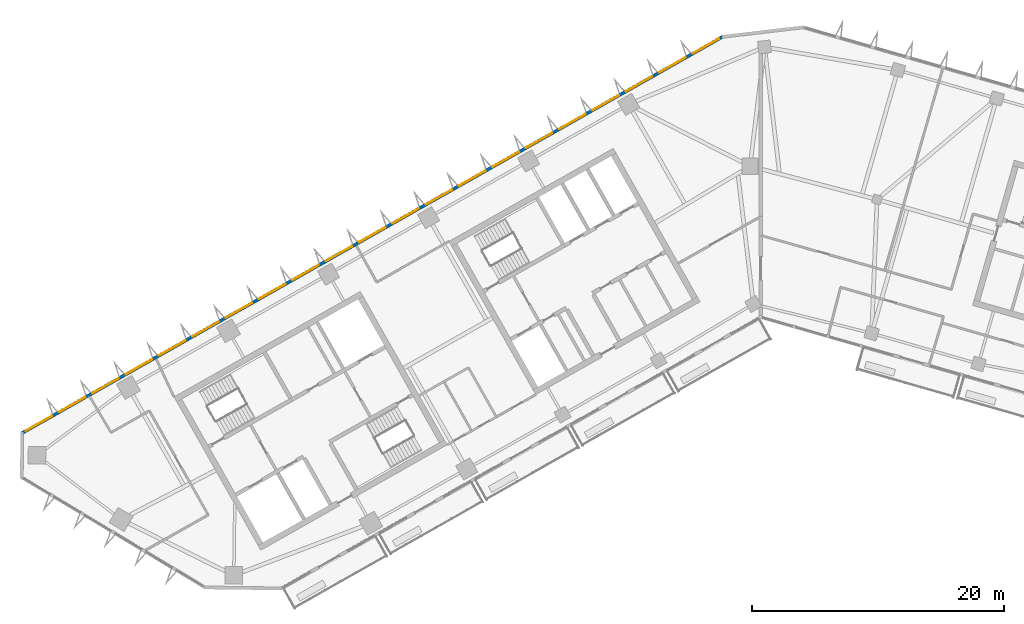
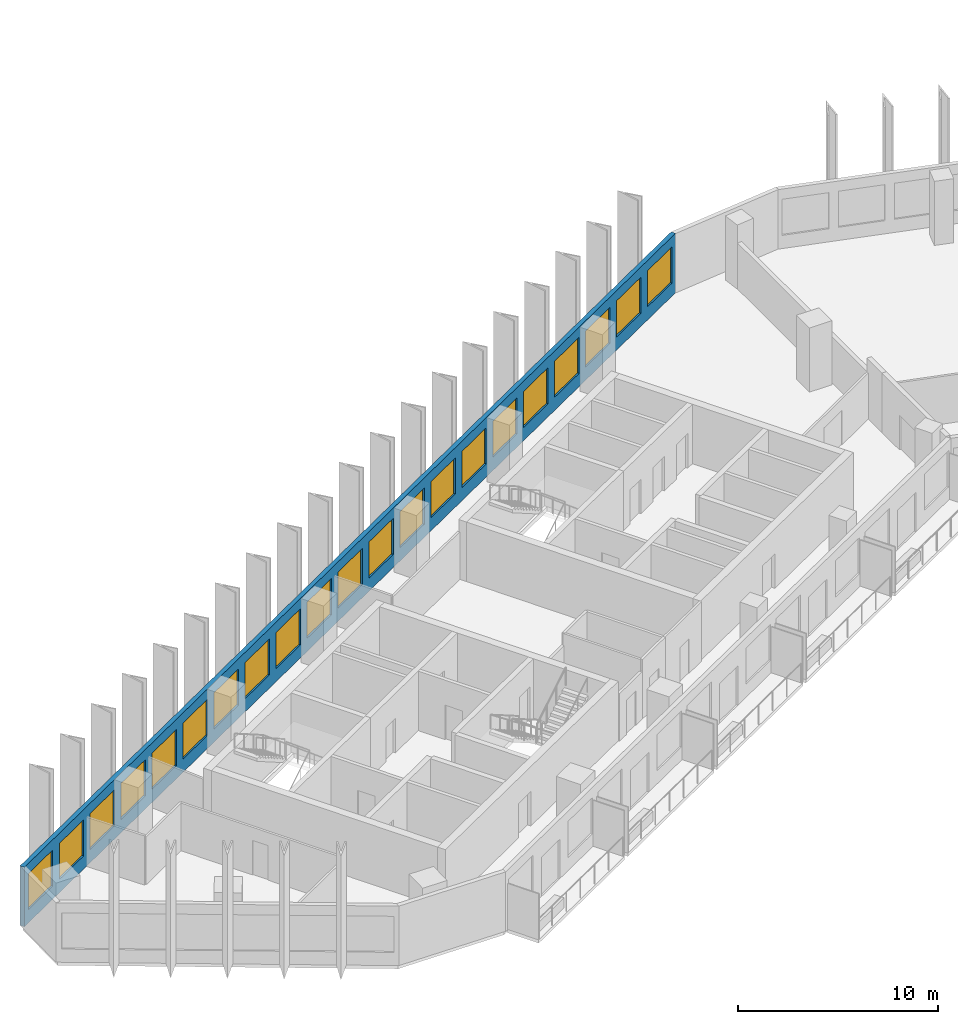
# One storey, part 4 of 12: 21 windows, 1 wall, 21 openings.
"""IFC4 building model written with IfcOpenShell, lengths in metres."""

from ifc_helpers import new_model, si_unit, direction, frame, frame_2d, origin, place, context, subcontext, project, spatial, rectangle, extrude, material, layer, layer_set, type_object, element, fill, save


model = new_model("IFC4")

# Units and contexts
model_context = context("Model", 3, precision=1e-05, world=origin(), true_north=direction((0.0, 1.0)))
body_context = subcontext(model_context, "Body", "Model", "MODEL_VIEW")
ifc_project = project(units=[si_unit("LENGTHUNIT", "METRE"), si_unit("AREAUNIT", "SQUARE_METRE"), si_unit("VOLUMEUNIT", "CUBIC_METRE"), si_unit("PLANEANGLEUNIT", "RADIAN"), si_unit("MASSUNIT", "GRAM", prefix="KILO")], contexts=[model_context])

# Site, building, storey
site_placement = place(None, origin())
site = spatial("IfcSite", under=ifc_project, at=site_placement, CompositionType="ELEMENT")
building_placement = place(site_placement, origin())
building = spatial("IfcBuilding", under=site, at=building_placement, Name="Binnacle Exchange Tower", CompositionType="ELEMENT")
storey_placement = place(building_placement, frame((0.0, 0.0, 246.5)))
storey = spatial("IfcBuildingStorey", under=building, at=storey_placement, Name="L54", CompositionType="ELEMENT", Elevation=246.5)

# Wall, openings, windows
ifc_material_1 = material(Name="Bronze aluminium cladding", Category="aluminium")
ifc_layer = layer(ifc_material_1, 0.25)
ifc_layer_set = layer_set([ifc_layer], Name="External wall - window wall 250")
wall_type = type_object("IfcWallType", Name="External wall - window wall 250", PredefinedType="STANDARD", material=ifc_layer_set)
wall_placement = place(storey_placement, frame((-58.732177734375, 38.770751953125, 0.0), z_axis=(0.0, 0.0, 1.0), x_axis=(0.870354824205, 0.492425100887, 0.0)))
wall = element("IfcWall", 1, at=wall_placement, inside=storey, type_object=wall_type, Name="External wall EW-G08 L54", PredefinedType="STANDARD", context=body_context, shape_type="SweptSolid", body=[
    extrude(rectangle(XDim=64.005859375, YDim=0.25, at=frame_2d((32.0029296875, 0.0))), origin(), (0.0, 0.0, 1.0), 3.6201171875),
])
opening_1_placement = place(wall_placement, frame((61.25927734375, 0.0, 0.800048828125)))
opening_1 = element("IfcOpeningElement", 2, at=opening_1_placement, cuts=wall, Name="Opening WR1", PredefinedType="OPENING", context=body_context, shape_type="SweptSolid", body=[
    extrude(rectangle(XDim=2.39990234375, YDim=2.199951171875, at=frame_2d((1.199951171875, 1.10009765625))), frame((0.0, 0.135009765625, 0.0), z_axis=(0.0, -1.0, 0.0), x_axis=(1.0, 0.0, 0.0)), (0.0, 0.0, 1.0), 0.27001953125),
])
opening_2_placement = place(wall_placement, frame((58.2158203125, 0.0, 0.800048828125)))
opening_2 = element("IfcOpeningElement", 3, at=opening_2_placement, cuts=wall, Name="Opening WR1", PredefinedType="OPENING", context=body_context, shape_type="SweptSolid", body=[
    extrude(rectangle(XDim=2.39990234375, YDim=2.199951171875, at=frame_2d((1.199951171875, 1.10009765625))), frame((0.0, 0.135009765625, 0.0), z_axis=(0.0, -1.0, 0.0), x_axis=(1.0, 0.0, 0.0)), (0.0, 0.0, 1.0), 0.27001953125),
])
opening_3_placement = place(wall_placement, frame((55.172607421875, 0.0, 0.800048828125)))
opening_3 = element("IfcOpeningElement", 4, at=opening_3_placement, cuts=wall, Name="Opening WR1", PredefinedType="OPENING", context=body_context, shape_type="SweptSolid", body=[
    extrude(rectangle(XDim=2.39990234375, YDim=2.199951171875, at=frame_2d((1.199951171875, 1.10009765625))), frame((0.0, 0.135009765625, 0.0), z_axis=(0.0, -1.0, 0.0), x_axis=(1.0, 0.0, 0.0)), (0.0, 0.0, 1.0), 0.27001953125),
])
opening_4_placement = place(wall_placement, frame((52.12939453125, 0.0, 0.800048828125)))
opening_4 = element("IfcOpeningElement", 5, at=opening_4_placement, cuts=wall, Name="Opening WR1", PredefinedType="OPENING", context=body_context, shape_type="SweptSolid", body=[
    extrude(rectangle(XDim=2.39990234375, YDim=2.199951171875, at=frame_2d((1.199951171875, 1.10009765625))), frame((0.0, 0.135009765625, 0.0), z_axis=(0.0, -1.0, 0.0), x_axis=(1.0, 0.0, 0.0)), (0.0, 0.0, 1.0), 0.27001953125),
])
opening_5_placement = place(wall_placement, frame((49.0859375, 0.0, 0.800048828125)))
opening_5 = element("IfcOpeningElement", 6, at=opening_5_placement, cuts=wall, Name="Opening WR1", PredefinedType="OPENING", context=body_context, shape_type="SweptSolid", body=[
    extrude(rectangle(XDim=2.39990234375, YDim=2.199951171875, at=frame_2d((1.199951171875, 1.10009765625))), frame((0.0, 0.135009765625, 0.0), z_axis=(0.0, -1.0, 0.0), x_axis=(1.0, 0.0, 0.0)), (0.0, 0.0, 1.0), 0.27001953125),
])
opening_6_placement = place(wall_placement, frame((46.042724609375, 0.0, 0.800048828125)))
opening_6 = element("IfcOpeningElement", 7, at=opening_6_placement, cuts=wall, Name="Opening WR1", PredefinedType="OPENING", context=body_context, shape_type="SweptSolid", body=[
    extrude(rectangle(XDim=2.39990234375, YDim=2.199951171875, at=frame_2d((1.199951171875, 1.10009765625))), frame((0.0, 0.135009765625, 0.0), z_axis=(0.0, -1.0, 0.0), x_axis=(1.0, 0.0, 0.0)), (0.0, 0.0, 1.0), 0.27001953125),
])
opening_7_placement = place(wall_placement, frame((42.99951171875, 0.0, 0.800048828125)))
opening_7 = element("IfcOpeningElement", 8, at=opening_7_placement, cuts=wall, Name="Opening WR1", PredefinedType="OPENING", context=body_context, shape_type="SweptSolid", body=[
    extrude(rectangle(XDim=2.39990234375, YDim=2.199951171875, at=frame_2d((1.199951171875, 1.10009765625))), frame((0.0, 0.135009765625, 0.0), z_axis=(0.0, -1.0, 0.0), x_axis=(1.0, 0.0, 0.0)), (0.0, 0.0, 1.0), 0.27001953125),
])
opening_8_placement = place(wall_placement, frame((39.956298828125, 0.0, 0.800048828125)))
opening_8 = element("IfcOpeningElement", 9, at=opening_8_placement, cuts=wall, Name="Opening WR1", PredefinedType="OPENING", context=body_context, shape_type="SweptSolid", body=[
    extrude(rectangle(XDim=2.39990234375, YDim=2.199951171875, at=frame_2d((1.199951171875, 1.10009765625))), frame((0.0, 0.135009765625, 0.0), z_axis=(0.0, -1.0, 0.0), x_axis=(1.0, 0.0, 0.0)), (0.0, 0.0, 1.0), 0.27001953125),
])
opening_9_placement = place(wall_placement, frame((36.912841796875, 0.0, 0.800048828125)))
opening_9 = element("IfcOpeningElement", 10, at=opening_9_placement, cuts=wall, Name="Opening WR1", PredefinedType="OPENING", context=body_context, shape_type="SweptSolid", body=[
    extrude(rectangle(XDim=2.39990234375, YDim=2.199951171875, at=frame_2d((1.199951171875, 1.10009765625))), frame((0.0, 0.135009765625, 0.0), z_axis=(0.0, -1.0, 0.0), x_axis=(1.0, 0.0, 0.0)), (0.0, 0.0, 1.0), 0.27001953125),
])
opening_10_placement = place(wall_placement, frame((33.86962890625, 0.0, 0.800048828125)))
opening_10 = element("IfcOpeningElement", 11, at=opening_10_placement, cuts=wall, Name="Opening WR1", PredefinedType="OPENING", context=body_context, shape_type="SweptSolid", body=[
    extrude(rectangle(XDim=2.39990234375, YDim=2.199951171875, at=frame_2d((1.199951171875, 1.10009765625))), frame((0.0, 0.135009765625, 0.0), z_axis=(0.0, -1.0, 0.0), x_axis=(1.0, 0.0, 0.0)), (0.0, 0.0, 1.0), 0.27001953125),
])
opening_11_placement = place(wall_placement, frame((30.826416015625, 0.0, 0.800048828125)))
opening_11 = element("IfcOpeningElement", 12, at=opening_11_placement, cuts=wall, Name="Opening WR1", PredefinedType="OPENING", context=body_context, shape_type="SweptSolid", body=[
    extrude(rectangle(XDim=2.39990234375, YDim=2.199951171875, at=frame_2d((1.199951171875, 1.10009765625))), frame((0.0, 0.135009765625, 0.0), z_axis=(0.0, -1.0, 0.0), x_axis=(1.0, 0.0, 0.0)), (0.0, 0.0, 1.0), 0.27001953125),
])
opening_12_placement = place(wall_placement, frame((27.782958984375, 0.0, 0.800048828125)))
opening_12 = element("IfcOpeningElement", 13, at=opening_12_placement, cuts=wall, Name="Opening WR1", PredefinedType="OPENING", context=body_context, shape_type="SweptSolid", body=[
    extrude(rectangle(XDim=2.39990234375, YDim=2.199951171875, at=frame_2d((1.199951171875, 1.10009765625))), frame((0.0, 0.135009765625, 0.0), z_axis=(0.0, -1.0, 0.0), x_axis=(1.0, 0.0, 0.0)), (0.0, 0.0, 1.0), 0.27001953125),
])
opening_13_placement = place(wall_placement, frame((24.73974609375, 0.0, 0.800048828125)))
opening_13 = element("IfcOpeningElement", 14, at=opening_13_placement, cuts=wall, Name="Opening WR1", PredefinedType="OPENING", context=body_context, shape_type="SweptSolid", body=[
    extrude(rectangle(XDim=2.39990234375, YDim=2.199951171875, at=frame_2d((1.199951171875, 1.10009765625))), frame((0.0, 0.135009765625, 0.0), z_axis=(0.0, -1.0, 0.0), x_axis=(1.0, 0.0, 0.0)), (0.0, 0.0, 1.0), 0.27001953125),
])
opening_14_placement = place(wall_placement, frame((21.6962890625, 0.0, 0.800048828125)))
opening_14 = element("IfcOpeningElement", 15, at=opening_14_placement, cuts=wall, Name="Opening WR1", PredefinedType="OPENING", context=body_context, shape_type="SweptSolid", body=[
    extrude(rectangle(XDim=2.39990234375, YDim=2.199951171875, at=frame_2d((1.199951171875, 1.10009765625))), frame((0.0, 0.135009765625, 0.0), z_axis=(0.0, -1.0, 0.0), x_axis=(1.0, 0.0, 0.0)), (0.0, 0.0, 1.0), 0.27001953125),
])
opening_15_placement = place(wall_placement, frame((18.6533203125, 0.0, 0.800048828125)))
opening_15 = element("IfcOpeningElement", 16, at=opening_15_placement, cuts=wall, Name="Opening WR1", PredefinedType="OPENING", context=body_context, shape_type="SweptSolid", body=[
    extrude(rectangle(XDim=2.39990234375, YDim=2.199951171875, at=frame_2d((1.199951171875, 1.10009765625))), frame((0.0, 0.135009765625, 0.0), z_axis=(0.0, -1.0, 0.0), x_axis=(1.0, 0.0, 0.0)), (0.0, 0.0, 1.0), 0.27001953125),
])
opening_16_placement = place(wall_placement, frame((15.60986328125, 0.0, 0.800048828125)))
opening_16 = element("IfcOpeningElement", 17, at=opening_16_placement, cuts=wall, Name="Opening WR1", PredefinedType="OPENING", context=body_context, shape_type="SweptSolid", body=[
    extrude(rectangle(XDim=2.39990234375, YDim=2.199951171875, at=frame_2d((1.199951171875, 1.10009765625))), frame((0.0, 0.135009765625, 0.0), z_axis=(0.0, -1.0, 0.0), x_axis=(1.0, 0.0, 0.0)), (0.0, 0.0, 1.0), 0.27001953125),
])
opening_17_placement = place(wall_placement, frame((12.566650390625, 0.0, 0.800048828125)))
opening_17 = element("IfcOpeningElement", 18, at=opening_17_placement, cuts=wall, Name="Opening WR1", PredefinedType="OPENING", context=body_context, shape_type="SweptSolid", body=[
    extrude(rectangle(XDim=2.39990234375, YDim=2.199951171875, at=frame_2d((1.199951171875, 1.10009765625))), frame((0.0, 0.135009765625, 0.0), z_axis=(0.0, -1.0, 0.0), x_axis=(1.0, 0.0, 0.0)), (0.0, 0.0, 1.0), 0.27001953125),
])
opening_18_placement = place(wall_placement, frame((9.523193359375, 0.0, 0.800048828125)))
opening_18 = element("IfcOpeningElement", 19, at=opening_18_placement, cuts=wall, Name="Opening WR1", PredefinedType="OPENING", context=body_context, shape_type="SweptSolid", body=[
    extrude(rectangle(XDim=2.39990234375, YDim=2.199951171875, at=frame_2d((1.199951171875, 1.10009765625))), frame((0.0, 0.135009765625, 0.0), z_axis=(0.0, -1.0, 0.0), x_axis=(1.0, 0.0, 0.0)), (0.0, 0.0, 1.0), 0.27001953125),
])
opening_19_placement = place(wall_placement, frame((6.47998046875, 0.0, 0.800048828125)))
opening_19 = element("IfcOpeningElement", 20, at=opening_19_placement, cuts=wall, Name="Opening WR1", PredefinedType="OPENING", context=body_context, shape_type="SweptSolid", body=[
    extrude(rectangle(XDim=2.39990234375, YDim=2.199951171875, at=frame_2d((1.199951171875, 1.10009765625))), frame((0.0, 0.135009765625, 0.0), z_axis=(0.0, -1.0, 0.0), x_axis=(1.0, 0.0, 0.0)), (0.0, 0.0, 1.0), 0.27001953125),
])
opening_20_placement = place(wall_placement, frame((3.436767578125, 0.0, 0.800048828125)))
opening_20 = element("IfcOpeningElement", 21, at=opening_20_placement, cuts=wall, Name="Opening WR1", PredefinedType="OPENING", context=body_context, shape_type="SweptSolid", body=[
    extrude(rectangle(XDim=2.39990234375, YDim=2.199951171875, at=frame_2d((1.199951171875, 1.10009765625))), frame((0.0, 0.135009765625, 0.0), z_axis=(0.0, -1.0, 0.0), x_axis=(1.0, 0.0, 0.0)), (0.0, 0.0, 1.0), 0.27001953125),
])
opening_21_placement = place(wall_placement, frame((0.393310546875, 0.0, 0.800048828125)))
opening_21 = element("IfcOpeningElement", 22, at=opening_21_placement, cuts=wall, Name="Opening WR1", PredefinedType="OPENING", context=body_context, shape_type="SweptSolid", body=[
    extrude(rectangle(XDim=2.39990234375, YDim=2.199951171875, at=frame_2d((1.199951171875, 1.10009765625))), frame((0.0, 0.135009765625, 0.0), z_axis=(0.0, -1.0, 0.0), x_axis=(1.0, 0.0, 0.0)), (0.0, 0.0, 1.0), 0.27001953125),
])
ifc_material_2 = material(Name="Bronze anodised aluminium frame", Category="aluminium")
window_type = type_object("IfcWindowType", Name="WR1 WINDOW 2400x2200", PartitioningType="SINGLE_PANEL", PredefinedType="WINDOW", material=ifc_material_2)
window_1_placement = place(opening_1_placement, origin())
window_1 = element("IfcWindow", 23, at=window_1_placement, inside=storey, type_object=window_type, Name="Window WR1 L54", OverallHeight=2.199951171875, OverallWidth=2.39990234375, PartitioningType="SINGLE_PANEL", PredefinedType="WINDOW", context=body_context, shape_type="SweptSolid", body=[
    extrude(rectangle(XDim=2.39990234375, YDim=2.199951171875, at=frame_2d((1.199951171875, 1.10009765625))), frame((0.0, 0.030029296875, 0.0), z_axis=(0.0, -1.0, 0.0), x_axis=(1.0, 0.0, 0.0)), (0.0, 0.0, 1.0), 0.06005859375),
])
fill(opening_1, window_1)
window_2_placement = place(opening_2_placement, origin())
window_2 = element("IfcWindow", 24, at=window_2_placement, inside=storey, type_object=window_type, Name="Window WR1 L54", OverallHeight=2.199951171875, OverallWidth=2.39990234375, PartitioningType="SINGLE_PANEL", PredefinedType="WINDOW", context=body_context, shape_type="SweptSolid", body=[
    extrude(rectangle(XDim=2.39990234375, YDim=2.199951171875, at=frame_2d((1.199951171875, 1.10009765625))), frame((0.0, 0.030029296875, 0.0), z_axis=(0.0, -1.0, 0.0), x_axis=(1.0, 0.0, 0.0)), (0.0, 0.0, 1.0), 0.06005859375),
])
fill(opening_2, window_2)
window_3_placement = place(opening_3_placement, origin())
window_3 = element("IfcWindow", 25, at=window_3_placement, inside=storey, type_object=window_type, Name="Window WR1 L54", OverallHeight=2.199951171875, OverallWidth=2.39990234375, PartitioningType="SINGLE_PANEL", PredefinedType="WINDOW", context=body_context, shape_type="SweptSolid", body=[
    extrude(rectangle(XDim=2.39990234375, YDim=2.199951171875, at=frame_2d((1.199951171875, 1.10009765625))), frame((0.0, 0.030029296875, 0.0), z_axis=(0.0, -1.0, 0.0), x_axis=(1.0, 0.0, 0.0)), (0.0, 0.0, 1.0), 0.06005859375),
])
fill(opening_3, window_3)
window_4_placement = place(opening_4_placement, origin())
window_4 = element("IfcWindow", 26, at=window_4_placement, inside=storey, type_object=window_type, Name="Window WR1 L54", OverallHeight=2.199951171875, OverallWidth=2.39990234375, PartitioningType="SINGLE_PANEL", PredefinedType="WINDOW", context=body_context, shape_type="SweptSolid", body=[
    extrude(rectangle(XDim=2.39990234375, YDim=2.199951171875, at=frame_2d((1.199951171875, 1.10009765625))), frame((0.0, 0.030029296875, 0.0), z_axis=(0.0, -1.0, 0.0), x_axis=(1.0, 0.0, 0.0)), (0.0, 0.0, 1.0), 0.06005859375),
])
fill(opening_4, window_4)
window_5_placement = place(opening_5_placement, origin())
window_5 = element("IfcWindow", 27, at=window_5_placement, inside=storey, type_object=window_type, Name="Window WR1 L54", OverallHeight=2.199951171875, OverallWidth=2.39990234375, PartitioningType="SINGLE_PANEL", PredefinedType="WINDOW", context=body_context, shape_type="SweptSolid", body=[
    extrude(rectangle(XDim=2.39990234375, YDim=2.199951171875, at=frame_2d((1.199951171875, 1.10009765625))), frame((0.0, 0.030029296875, 0.0), z_axis=(0.0, -1.0, 0.0), x_axis=(1.0, 0.0, 0.0)), (0.0, 0.0, 1.0), 0.06005859375),
])
fill(opening_5, window_5)
window_6_placement = place(opening_6_placement, origin())
window_6 = element("IfcWindow", 28, at=window_6_placement, inside=storey, type_object=window_type, Name="Window WR1 L54", OverallHeight=2.199951171875, OverallWidth=2.39990234375, PartitioningType="SINGLE_PANEL", PredefinedType="WINDOW", context=body_context, shape_type="SweptSolid", body=[
    extrude(rectangle(XDim=2.39990234375, YDim=2.199951171875, at=frame_2d((1.199951171875, 1.10009765625))), frame((0.0, 0.030029296875, 0.0), z_axis=(0.0, -1.0, 0.0), x_axis=(1.0, 0.0, 0.0)), (0.0, 0.0, 1.0), 0.06005859375),
])
fill(opening_6, window_6)
window_7_placement = place(opening_7_placement, origin())
window_7 = element("IfcWindow", 29, at=window_7_placement, inside=storey, type_object=window_type, Name="Window WR1 L54", OverallHeight=2.199951171875, OverallWidth=2.39990234375, PartitioningType="SINGLE_PANEL", PredefinedType="WINDOW", context=body_context, shape_type="SweptSolid", body=[
    extrude(rectangle(XDim=2.39990234375, YDim=2.199951171875, at=frame_2d((1.199951171875, 1.10009765625))), frame((0.0, 0.030029296875, 0.0), z_axis=(0.0, -1.0, 0.0), x_axis=(1.0, 0.0, 0.0)), (0.0, 0.0, 1.0), 0.06005859375),
])
fill(opening_7, window_7)
window_8_placement = place(opening_8_placement, origin())
window_8 = element("IfcWindow", 30, at=window_8_placement, inside=storey, type_object=window_type, Name="Window WR1 L54", OverallHeight=2.199951171875, OverallWidth=2.39990234375, PartitioningType="SINGLE_PANEL", PredefinedType="WINDOW", context=body_context, shape_type="SweptSolid", body=[
    extrude(rectangle(XDim=2.39990234375, YDim=2.199951171875, at=frame_2d((1.199951171875, 1.10009765625))), frame((0.0, 0.030029296875, 0.0), z_axis=(0.0, -1.0, 0.0), x_axis=(1.0, 0.0, 0.0)), (0.0, 0.0, 1.0), 0.06005859375),
])
fill(opening_8, window_8)
window_9_placement = place(opening_9_placement, origin())
window_9 = element("IfcWindow", 31, at=window_9_placement, inside=storey, type_object=window_type, Name="Window WR1 L54", OverallHeight=2.199951171875, OverallWidth=2.39990234375, PartitioningType="SINGLE_PANEL", PredefinedType="WINDOW", context=body_context, shape_type="SweptSolid", body=[
    extrude(rectangle(XDim=2.39990234375, YDim=2.199951171875, at=frame_2d((1.199951171875, 1.10009765625))), frame((0.0, 0.030029296875, 0.0), z_axis=(0.0, -1.0, 0.0), x_axis=(1.0, 0.0, 0.0)), (0.0, 0.0, 1.0), 0.06005859375),
])
fill(opening_9, window_9)
window_10_placement = place(opening_10_placement, origin())
window_10 = element("IfcWindow", 32, at=window_10_placement, inside=storey, type_object=window_type, Name="Window WR1 L54", OverallHeight=2.199951171875, OverallWidth=2.39990234375, PartitioningType="SINGLE_PANEL", PredefinedType="WINDOW", context=body_context, shape_type="SweptSolid", body=[
    extrude(rectangle(XDim=2.39990234375, YDim=2.199951171875, at=frame_2d((1.199951171875, 1.10009765625))), frame((0.0, 0.030029296875, 0.0), z_axis=(0.0, -1.0, 0.0), x_axis=(1.0, 0.0, 0.0)), (0.0, 0.0, 1.0), 0.06005859375),
])
fill(opening_10, window_10)
window_11_placement = place(opening_11_placement, origin())
window_11 = element("IfcWindow", 33, at=window_11_placement, inside=storey, type_object=window_type, Name="Window WR1 L54", OverallHeight=2.199951171875, OverallWidth=2.39990234375, PartitioningType="SINGLE_PANEL", PredefinedType="WINDOW", context=body_context, shape_type="SweptSolid", body=[
    extrude(rectangle(XDim=2.39990234375, YDim=2.199951171875, at=frame_2d((1.199951171875, 1.10009765625))), frame((0.0, 0.030029296875, 0.0), z_axis=(0.0, -1.0, 0.0), x_axis=(1.0, 0.0, 0.0)), (0.0, 0.0, 1.0), 0.06005859375),
])
fill(opening_11, window_11)
window_12_placement = place(opening_12_placement, origin())
window_12 = element("IfcWindow", 34, at=window_12_placement, inside=storey, type_object=window_type, Name="Window WR1 L54", OverallHeight=2.199951171875, OverallWidth=2.39990234375, PartitioningType="SINGLE_PANEL", PredefinedType="WINDOW", context=body_context, shape_type="SweptSolid", body=[
    extrude(rectangle(XDim=2.39990234375, YDim=2.199951171875, at=frame_2d((1.199951171875, 1.10009765625))), frame((0.0, 0.030029296875, 0.0), z_axis=(0.0, -1.0, 0.0), x_axis=(1.0, 0.0, 0.0)), (0.0, 0.0, 1.0), 0.06005859375),
])
fill(opening_12, window_12)
window_13_placement = place(opening_13_placement, origin())
window_13 = element("IfcWindow", 35, at=window_13_placement, inside=storey, type_object=window_type, Name="Window WR1 L54", OverallHeight=2.199951171875, OverallWidth=2.39990234375, PartitioningType="SINGLE_PANEL", PredefinedType="WINDOW", context=body_context, shape_type="SweptSolid", body=[
    extrude(rectangle(XDim=2.39990234375, YDim=2.199951171875, at=frame_2d((1.199951171875, 1.10009765625))), frame((0.0, 0.030029296875, 0.0), z_axis=(0.0, -1.0, 0.0), x_axis=(1.0, 0.0, 0.0)), (0.0, 0.0, 1.0), 0.06005859375),
])
fill(opening_13, window_13)
window_14_placement = place(opening_14_placement, origin())
window_14 = element("IfcWindow", 36, at=window_14_placement, inside=storey, type_object=window_type, Name="Window WR1 L54", OverallHeight=2.199951171875, OverallWidth=2.39990234375, PartitioningType="SINGLE_PANEL", PredefinedType="WINDOW", context=body_context, shape_type="SweptSolid", body=[
    extrude(rectangle(XDim=2.39990234375, YDim=2.199951171875, at=frame_2d((1.199951171875, 1.10009765625))), frame((0.0, 0.030029296875, 0.0), z_axis=(0.0, -1.0, 0.0), x_axis=(1.0, 0.0, 0.0)), (0.0, 0.0, 1.0), 0.06005859375),
])
fill(opening_14, window_14)
window_15_placement = place(opening_15_placement, origin())
window_15 = element("IfcWindow", 37, at=window_15_placement, inside=storey, type_object=window_type, Name="Window WR1 L54", OverallHeight=2.199951171875, OverallWidth=2.39990234375, PartitioningType="SINGLE_PANEL", PredefinedType="WINDOW", context=body_context, shape_type="SweptSolid", body=[
    extrude(rectangle(XDim=2.39990234375, YDim=2.199951171875, at=frame_2d((1.199951171875, 1.10009765625))), frame((0.0, 0.030029296875, 0.0), z_axis=(0.0, -1.0, 0.0), x_axis=(1.0, 0.0, 0.0)), (0.0, 0.0, 1.0), 0.06005859375),
])
fill(opening_15, window_15)
window_16_placement = place(opening_16_placement, origin())
window_16 = element("IfcWindow", 38, at=window_16_placement, inside=storey, type_object=window_type, Name="Window WR1 L54", OverallHeight=2.199951171875, OverallWidth=2.39990234375, PartitioningType="SINGLE_PANEL", PredefinedType="WINDOW", context=body_context, shape_type="SweptSolid", body=[
    extrude(rectangle(XDim=2.39990234375, YDim=2.199951171875, at=frame_2d((1.199951171875, 1.10009765625))), frame((0.0, 0.030029296875, 0.0), z_axis=(0.0, -1.0, 0.0), x_axis=(1.0, 0.0, 0.0)), (0.0, 0.0, 1.0), 0.06005859375),
])
fill(opening_16, window_16)
window_17_placement = place(opening_17_placement, origin())
window_17 = element("IfcWindow", 39, at=window_17_placement, inside=storey, type_object=window_type, Name="Window WR1 L54", OverallHeight=2.199951171875, OverallWidth=2.39990234375, PartitioningType="SINGLE_PANEL", PredefinedType="WINDOW", context=body_context, shape_type="SweptSolid", body=[
    extrude(rectangle(XDim=2.39990234375, YDim=2.199951171875, at=frame_2d((1.199951171875, 1.10009765625))), frame((0.0, 0.030029296875, 0.0), z_axis=(0.0, -1.0, 0.0), x_axis=(1.0, 0.0, 0.0)), (0.0, 0.0, 1.0), 0.06005859375),
])
fill(opening_17, window_17)
window_18_placement = place(opening_18_placement, origin())
window_18 = element("IfcWindow", 40, at=window_18_placement, inside=storey, type_object=window_type, Name="Window WR1 L54", OverallHeight=2.199951171875, OverallWidth=2.39990234375, PartitioningType="SINGLE_PANEL", PredefinedType="WINDOW", context=body_context, shape_type="SweptSolid", body=[
    extrude(rectangle(XDim=2.39990234375, YDim=2.199951171875, at=frame_2d((1.199951171875, 1.10009765625))), frame((0.0, 0.030029296875, 0.0), z_axis=(0.0, -1.0, 0.0), x_axis=(1.0, 0.0, 0.0)), (0.0, 0.0, 1.0), 0.06005859375),
])
fill(opening_18, window_18)
window_19_placement = place(opening_19_placement, origin())
window_19 = element("IfcWindow", 41, at=window_19_placement, inside=storey, type_object=window_type, Name="Window WR1 L54", OverallHeight=2.199951171875, OverallWidth=2.39990234375, PartitioningType="SINGLE_PANEL", PredefinedType="WINDOW", context=body_context, shape_type="SweptSolid", body=[
    extrude(rectangle(XDim=2.39990234375, YDim=2.199951171875, at=frame_2d((1.199951171875, 1.10009765625))), frame((0.0, 0.030029296875, 0.0), z_axis=(0.0, -1.0, 0.0), x_axis=(1.0, 0.0, 0.0)), (0.0, 0.0, 1.0), 0.06005859375),
])
fill(opening_19, window_19)
window_20_placement = place(opening_20_placement, origin())
window_20 = element("IfcWindow", 42, at=window_20_placement, inside=storey, type_object=window_type, Name="Window WR1 L54", OverallHeight=2.199951171875, OverallWidth=2.39990234375, PartitioningType="SINGLE_PANEL", PredefinedType="WINDOW", context=body_context, shape_type="SweptSolid", body=[
    extrude(rectangle(XDim=2.39990234375, YDim=2.199951171875, at=frame_2d((1.199951171875, 1.10009765625))), frame((0.0, 0.030029296875, 0.0), z_axis=(0.0, -1.0, 0.0), x_axis=(1.0, 0.0, 0.0)), (0.0, 0.0, 1.0), 0.06005859375),
])
fill(opening_20, window_20)
window_21_placement = place(opening_21_placement, origin())
window_21 = element("IfcWindow", 43, at=window_21_placement, inside=storey, type_object=window_type, Name="Window WR1 L54", OverallHeight=2.199951171875, OverallWidth=2.39990234375, PartitioningType="SINGLE_PANEL", PredefinedType="WINDOW", context=body_context, shape_type="SweptSolid", body=[
    extrude(rectangle(XDim=2.39990234375, YDim=2.199951171875, at=frame_2d((1.199951171875, 1.10009765625))), frame((0.0, 0.030029296875, 0.0), z_axis=(0.0, -1.0, 0.0), x_axis=(1.0, 0.0, 0.0)), (0.0, 0.0, 1.0), 0.06005859375),
])
fill(opening_21, window_21)

save(model, "model.ifc")
